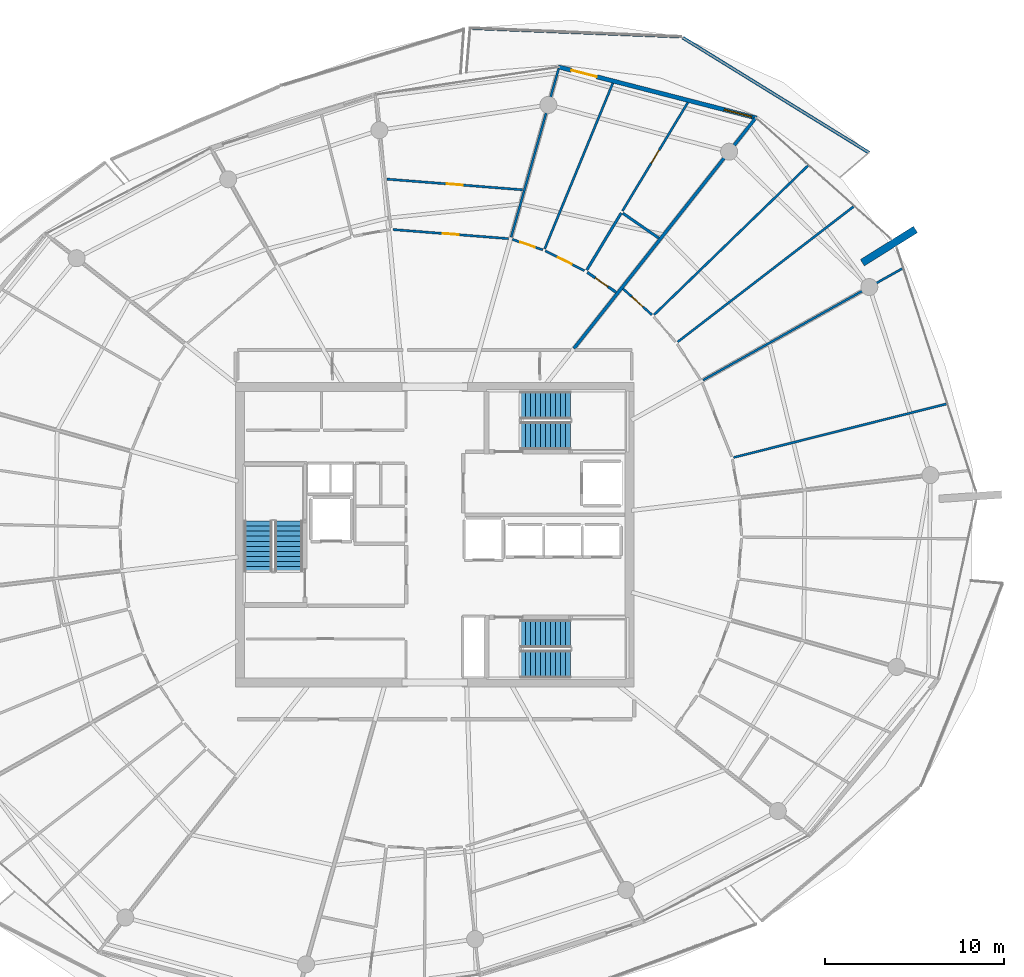
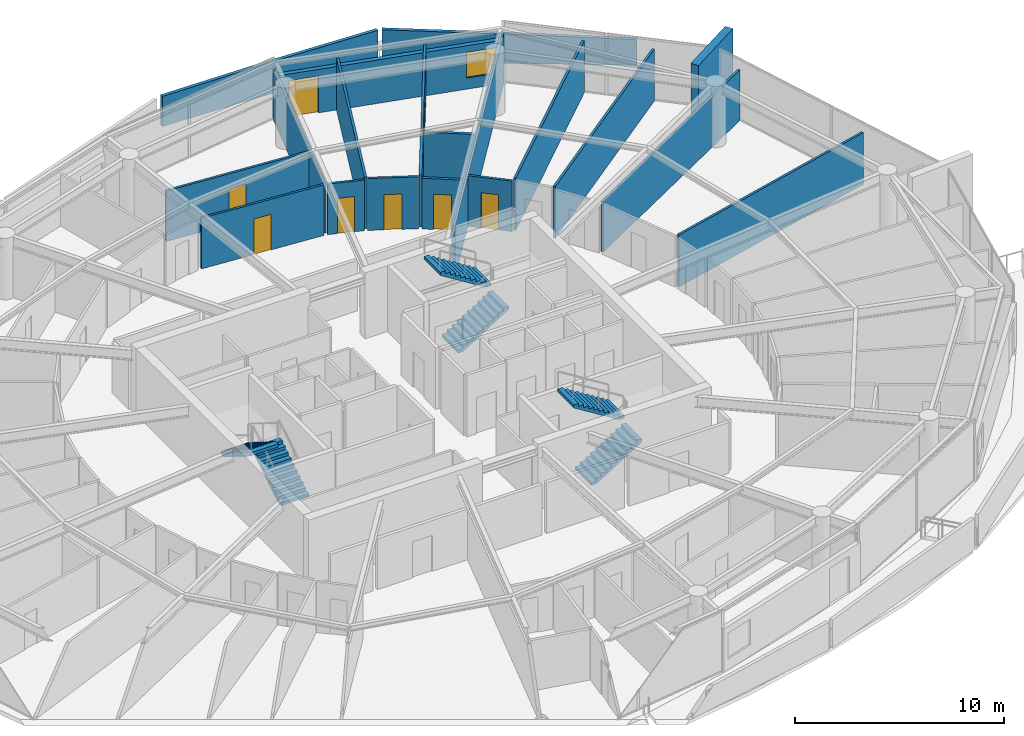
# One storey, part 22 of 29: 20 walls, 8 doors, 6 stair flights, 1 window, 9 openings, 3 elements without a shape of their own.
"""IFC4 building model written with IfcOpenShell, lengths in metres."""

from ifc_helpers import new_model, si_unit, direction, frame, frame_2d, origin, place, context, subcontext, project, spatial, polyline, rectangle, outline, extrude, material, layer, layer_set, type_object, element, fill, aggregate, save


model = new_model("IFC4")

# Units and contexts
model_context = context("Model", 3, precision=1e-05, world=origin(), true_north=direction((0.0, 1.0)))
body_context = subcontext(model_context, "Body", "Model", "MODEL_VIEW")
ifc_project = project(units=[si_unit("LENGTHUNIT", "METRE"), si_unit("AREAUNIT", "SQUARE_METRE"), si_unit("VOLUMEUNIT", "CUBIC_METRE"), si_unit("PLANEANGLEUNIT", "RADIAN"), si_unit("MASSUNIT", "GRAM", prefix="KILO")], contexts=[model_context])

# Site, building, storey
site_placement = place(None, origin())
site = spatial("IfcSite", under=ifc_project, at=site_placement, CompositionType="ELEMENT")
building_placement = place(site_placement, origin())
building = spatial("IfcBuilding", under=site, at=building_placement, Name="Kazma Halo Residences", CompositionType="ELEMENT")
storey_placement = place(building_placement, frame((0.0, 0.0, 286.75)))
storey = spatial("IfcBuildingStorey", under=building, at=storey_placement, Name="L72", CompositionType="ELEMENT", Elevation=286.75)

# Walls
ifc_material_1 = material(Name="White Concrete C50/60 Balustrade", Category="concrete")
ifc_layer_1 = layer(ifc_material_1, 0.179931640625)
ifc_layer_set_1 = layer_set([ifc_layer_1], Name="White Concrete C50/60 Balustrade")
wall_type_1 = type_object("IfcWallType", Name="WL-BAL-WAVE-180", PredefinedType="PARAPET", material=ifc_layer_set_1)
wall_1_placement = place(storey_placement, frame((72.651611328125, 63.31640625, 0.0), z_axis=(0.0, 0.0, 1.0), x_axis=(-0.850900796978, 0.52532640682, 0.0)))
element("IfcWall", 1, at=wall_1_placement, inside=storey, type_object=wall_type_1, Name="L72 white wave balustrade wall NE.1", PredefinedType="PARAPET", context=body_context, shape_type="SweptSolid", body=[
    extrude(outline(polyline([(0.0, 0.0), (12.208740234375, 0.0), (12.20849609375, 1.83203125), (6.104248046875, 1.696044921875), (0.0, 1.4970703125), (0.0, 0.0)])), frame((0.0, 0.08984375, 0.0), z_axis=(0.0, -1.0, 0.0), x_axis=(1.0, 0.0, 0.0)), (0.0, 0.0, 1.0), 0.179931640625),
])
wall_2_placement = place(storey_placement, frame((62.041259765625, 69.7978515625, 0.0), z_axis=(0.0, 0.0, 1.0), x_axis=(-0.999178647834, 0.040521965797, 0.0)))
element("IfcWall", 2, at=wall_2_placement, inside=storey, type_object=wall_type_1, Name="L72 white wave balustrade wall NE.2", PredefinedType="PARAPET", context=body_context, shape_type="SweptSolid", body=[
    extrude(outline(polyline([(0.0, 0.0), (11.652099609375, 0.0), (11.652099609375, 1.756103515625), (5.826171875, 1.85302734375), (0.0, 1.83203125), (0.0, 0.0)])), frame((0.0, 0.08984375, 0.0), z_axis=(0.0, -1.0, 0.0), x_axis=(1.0, 0.0, 0.0)), (0.0, 0.0, 1.0), 0.179931640625),
])
ifc_material_2 = material(Name="Pale Concrete C60/75", Category="concrete")
ifc_layer_2 = layer(ifc_material_2, 0.419921875)
ifc_layer_set_2 = layer_set([ifc_layer_2], Name="Pale Concrete C60/75")
wall_type_2 = type_object("IfcWallType", Name="WL-BLADE-420", PredefinedType="SOLIDWALL", material=ifc_layer_set_2)
wall_3_placement = place(storey_placement, frame((72.281494140625, 57.172607421875, 0.0), z_axis=(0.0, 0.0, 1.0), x_axis=(0.848033572426, 0.529942506352, 0.0)))
element("IfcWall", 3, at=wall_3_placement, inside=storey, type_object=wall_type_2, Name="L72 pale concrete structural blade fin wall BW-01", PredefinedType="SOLIDWALL", context=body_context, shape_type="SweptSolid", body=[
    extrude(rectangle(XDim=3.5, YDim=0.419921875, at=frame_2d((1.75, 0.0))), origin(), (0.0, 0.0, 1.0), 3.85009765625),
])
ifc_material_3 = material(Name="Acoustic Twin-Stud Gypsum")
ifc_layer_3 = layer(ifc_material_3, 0.179931640625)
ifc_layer_set_3 = layer_set([ifc_layer_3], Name="Acoustic Twin-Stud Gypsum")
wall_type_3 = type_object("IfcWallType", Name="WL-DEM-180", PredefinedType="PARTITIONING", material=ifc_layer_set_3)
wall_4_placement = place(storey_placement, frame((56.18798828125, 52.386474609375, 0.0), z_axis=(0.0, 0.0, 1.0), x_axis=(0.619097230176, 0.785314344443, 0.0)))
element("IfcWall", 4, at=wall_4_placement, inside=storey, type_object=wall_type_3, Name="L72 apartment demising radial wall 01", PredefinedType="PARTITIONING", context=body_context, shape_type="SweptSolid", body=[
    extrude(rectangle(XDim=16.369873046875, YDim=0.179931640625, at=frame_2d((8.18505859375, 0.0))), origin(), (0.0, 0.0, 1.0), 2.95703125),
])

# Wall, openings, door, window
ifc_material_4 = material(Name="Insulated Pale-Metal Composite Wall")
ifc_layer_4 = layer(ifc_material_4, 0.239990234375)
ifc_layer_set_4 = layer_set([ifc_layer_4], Name="Insulated Pale-Metal Composite Wall")
wall_type_4 = type_object("IfcWallType", Name="WL-EXT-HOST-240", PredefinedType="SOLIDWALL", material=ifc_layer_set_4)
wall_5_placement = place(storey_placement, frame((66.386474609375, 65.2490234375, 0.0), z_axis=(0.0, 0.0, 1.0), x_axis=(-0.968343758421, 0.249620442927, 0.0)))
wall_5 = element("IfcWall", 5, at=wall_5_placement, inside=storey, type_object=wall_type_4, Name="L72 exterior terrace-access wall B02", PredefinedType="SOLIDWALL", context=body_context, shape_type="SweptSolid", body=[
    extrude(rectangle(XDim=11.438232421875, YDim=0.239990234375, at=frame_2d((5.71923828125, 0.0))), origin(), (0.0, 0.0, 1.0), 2.5400390625),
])
opening_1_placement = place(wall_5_placement, frame((9.21826171875, 0.0, 0.0)))
opening_1 = element("IfcOpeningElement", 6, at=opening_1_placement, cuts=wall_5, Name="Opening DTR-1600", PredefinedType="OPENING", context=body_context, shape_type="SweptSolid", body=[
    extrude(rectangle(XDim=1.449951171875, YDim=2.14990234375, at=frame_2d((0.72509765625, 1.074951171875))), frame((0.0, 0.1298828125, 0.0), z_axis=(0.0, -1.0, 0.0), x_axis=(1.0, 0.0, 0.0)), (0.0, 0.0, 1.0), 0.260009765625),
])
opening_2_placement = place(wall_5_placement, frame((0.280029296875, 0.0, 0.64990234375)))
opening_2 = element("IfcOpeningElement", 7, at=opening_2_placement, cuts=wall_5, Name="Opening W-1800", PredefinedType="OPENING", context=body_context, shape_type="SweptSolid", body=[
    extrude(rectangle(XDim=1.60009765625, YDim=1.5, at=frame_2d((0.800048828125, 0.75))), frame((0.0, 0.1298828125, 0.0), z_axis=(0.0, -1.0, 0.0), x_axis=(1.0, 0.0, 0.0)), (0.0, 0.0, 1.0), 0.260009765625),
])
ifc_material_5 = material(Name="Aluminium AW-6063 T6 Double-Glazed Terrace Door", Category="aluminium")
door_type_1 = type_object("IfcDoorType", Name="DR-EXT-TERR-1600", OperationType="NOTDEFINED", PredefinedType="DOOR", material=ifc_material_5)
door_1_placement = place(opening_1_placement, origin())
door_1 = element("IfcDoor", 8, at=door_1_placement, inside=storey, type_object=door_type_1, Name="L72 B02 balcony terrace door", OperationType="DOUBLE_DOOR_SLIDING", OverallHeight=2.14990234375, OverallWidth=1.449951171875, PredefinedType="DOOR", context=body_context, shape_type="SweptSolid", body=[
    extrude(rectangle(XDim=1.449951171875, YDim=2.14990234375, at=frame_2d((0.72509765625, 1.074951171875))), frame((0.0, 0.02490234375, 0.0), z_axis=(0.0, -1.0, 0.0), x_axis=(1.0, 0.0, 0.0)), (0.0, 0.0, 1.0), 0.050048828125),
])
fill(opening_1, door_1)
ifc_material_6 = material(Name="Clear Triple-Silver Low-E Glass in Aluminium AW-6063 T6 Frame", Category="aluminium")
window_type = type_object("IfcWindowType", Name="WIN-RES-1800", PartitioningType="DOUBLE_PANEL_VERTICAL", PredefinedType="WINDOW", material=ifc_material_6)
window_placement = place(opening_2_placement, origin())
window = element("IfcWindow", 9, at=window_placement, inside=storey, type_object=window_type, Name="L72 B02 apartment window", OverallHeight=1.5, OverallWidth=1.60009765625, PartitioningType="SINGLE_PANEL", PredefinedType="WINDOW", context=body_context, shape_type="SweptSolid", body=[
    extrude(rectangle(XDim=1.60009765625, YDim=1.5, at=frame_2d((0.800048828125, 0.75))), frame((0.0, 0.030029296875, 0.0), z_axis=(0.0, -1.0, 0.0), x_axis=(1.0, 0.0, 0.0)), (0.0, 0.0, 1.0), 0.06005859375),
])
fill(opening_2, window)

# Wall, opening, door
ifc_material_7 = material(Name="Gypsum Plasterboard Partition")
ifc_layer_5 = layer(ifc_material_7, 0.125)
ifc_layer_set_5 = layer_set([ifc_layer_5], Name="Gypsum Plasterboard Partition")
wall_type_5 = type_object("IfcWallType", Name="WL-PART-125", PredefinedType="PARTITIONING", material=ifc_layer_set_5)
wall_6_placement = place(storey_placement, frame((58.893310546875, 60.061279296875, 0.0), z_axis=(0.0, 0.0, 1.0), x_axis=(0.516439316059, 0.856323789713, 0.0)))
wall_6 = element("IfcWall", 10, at=wall_6_placement, inside=storey, type_object=wall_type_5, Name="L72 Apartment 1 Household Store Room partition wall", PredefinedType="PARTITIONING", context=body_context, shape_type="SweptSolid", body=[
    extrude(rectangle(XDim=7.0703125, YDim=0.125, at=frame_2d((3.53515625, 0.0))), origin(), (0.0, 0.0, 1.0), 3.030029296875),
])
opening_3_placement = place(wall_6_placement, frame((3.110107421875, 0.0, 0.0)))
opening_3 = element("IfcOpeningElement", 11, at=opening_3_placement, cuts=wall_6, Name="Opening DB-900", PredefinedType="OPENING", context=body_context, shape_type="SweptSolid", body=[
    extrude(rectangle(XDim=0.85009765625, YDim=2.06005859375, at=frame_2d((0.425048828125, 1.030029296875))), frame((0.0, 0.072509765625, 0.0), z_axis=(0.0, -1.0, 0.0), x_axis=(1.0, 0.0, 0.0)), (0.0, 0.0, 1.0), 0.14501953125),
])
ifc_material_8 = material(Name="Moisture-Sealed Timber Leaf", Category="wood")
door_type_2 = type_object("IfcDoorType", Name="DR-BTH-900", OperationType="NOTDEFINED", PredefinedType="DOOR", material=ifc_material_8)
door_2_placement = place(opening_3_placement, origin())
door_2 = element("IfcDoor", 12, at=door_2_placement, inside=storey, type_object=door_type_2, Name="L72 Apartment 1 Household Store Room door", OperationType="SINGLE_SWING_LEFT", OverallHeight=2.06005859375, OverallWidth=0.85009765625, PredefinedType="DOOR", context=body_context, shape_type="SweptSolid", body=[
    extrude(rectangle(XDim=0.85009765625, YDim=2.06005859375, at=frame_2d((0.425048828125, 1.030029296875))), frame((0.0, 0.02490234375, 0.0), z_axis=(0.0, -1.0, 0.0), x_axis=(1.0, 0.0, 0.0)), (0.0, 0.0, 1.0), 0.050048828125),
])
fill(opening_3, door_2)

# Wall
wall_7_placement = place(storey_placement, frame((54.555908203125, 57.947021484375, 0.0), z_axis=(0.0, 0.0, 1.0), x_axis=(0.380247271433, 0.924884864493, 0.0)))
element("IfcWall", 13, at=wall_7_placement, inside=storey, type_object=wall_type_5, Name="L72 Apartment 1 suite divider 1", PredefinedType="PARTITIONING", context=body_context, shape_type="SweptSolid", body=[
    extrude(rectangle(XDim=9.994873046875, YDim=0.125, at=frame_2d((4.99755859375, 0.0))), origin(), (0.0, 0.0, 1.0), 3.030029296875),
])

# Wall, opening, door
wall_8_placement = place(storey_placement, frame((56.77783203125, 56.72802734375, 0.0), z_axis=(0.0, 0.0, 1.0), x_axis=(-0.893226093112, 0.449607769711, 0.0)))
wall_8 = element("IfcWall", 14, at=wall_8_placement, inside=storey, type_object=wall_type_5, Name="L72 Apartment 1 Gourmet Kitchen hall wall", PredefinedType="PARTITIONING", context=body_context, shape_type="SweptSolid", body=[
    extrude(rectangle(XDim=2.44580078125, YDim=0.125, at=frame_2d((1.222900390625, 0.0))), origin(), (0.0, 0.0, 1.0), 3.030029296875),
])
opening_4_placement = place(wall_8_placement, frame((0.7978515625, 0.0, 0.0)))
opening_4 = element("IfcOpeningElement", 15, at=opening_4_placement, cuts=wall_8, Name="Opening DB-900", PredefinedType="OPENING", context=body_context, shape_type="SweptSolid", body=[
    extrude(rectangle(XDim=0.85009765625, YDim=2.06005859375, at=frame_2d((0.425048828125, 1.030029296875))), frame((0.0, 0.072509765625, 0.0), z_axis=(0.0, -1.0, 0.0), x_axis=(1.0, 0.0, 0.0)), (0.0, 0.0, 1.0), 0.14501953125),
])
door_3_placement = place(opening_4_placement, origin())
door_3 = element("IfcDoor", 16, at=door_3_placement, inside=storey, type_object=door_type_2, Name="L72 Apartment 1 Gourmet Kitchen door", OperationType="SINGLE_SWING_RIGHT", OverallHeight=2.06005859375, OverallWidth=0.85009765625, PredefinedType="DOOR", context=body_context, shape_type="SweptSolid", body=[
    extrude(rectangle(XDim=0.85009765625, YDim=2.06005859375, at=frame_2d((0.425048828125, 1.030029296875))), frame((0.0, 0.02490234375, 0.0), z_axis=(0.0, -1.0, 0.0), x_axis=(1.0, 0.0, 0.0)), (0.0, 0.0, 1.0), 0.050048828125),
])
fill(opening_4, door_3)

wall_9_placement = place(storey_placement, frame((54.4462890625, 57.889892578125, 0.0), z_axis=(0.0, 0.0, 1.0), x_axis=(-0.945268821385, 0.326292591576, 0.0)))
wall_9 = element("IfcWall", 17, at=wall_9_placement, inside=storey, type_object=wall_type_5, Name="L72 Apartment 1 Primary Bedroom hall wall", PredefinedType="PARTITIONING", context=body_context, shape_type="SweptSolid", body=[
    extrude(rectangle(XDim=1.794189453125, YDim=0.125, at=frame_2d((0.89697265625, 0.0))), origin(), (0.0, 0.0, 1.0), 2.95703125),
])
opening_5_placement = place(wall_9_placement, frame((0.47216796875, 0.0, 0.0)))
opening_5 = element("IfcOpeningElement", 18, at=opening_5_placement, cuts=wall_9, Name="Opening DB-900", PredefinedType="OPENING", context=body_context, shape_type="SweptSolid", body=[
    extrude(rectangle(XDim=0.85009765625, YDim=2.06005859375, at=frame_2d((0.425048828125, 1.030029296875))), frame((0.0, 0.072509765625, 0.0), z_axis=(0.0, -1.0, 0.0), x_axis=(1.0, 0.0, 0.0)), (0.0, 0.0, 1.0), 0.14501953125),
])
door_4_placement = place(opening_5_placement, origin())
door_4 = element("IfcDoor", 19, at=door_4_placement, inside=storey, type_object=door_type_2, Name="L72 Apartment 1 Primary Bedroom door", OperationType="SINGLE_SWING_LEFT", OverallHeight=2.06005859375, OverallWidth=0.85009765625, PredefinedType="DOOR", context=body_context, shape_type="SweptSolid", body=[
    extrude(rectangle(XDim=0.85009765625, YDim=2.06005859375, at=frame_2d((0.425048828125, 1.030029296875))), frame((0.0, 0.02490234375, 0.0), z_axis=(0.0, -1.0, 0.0), x_axis=(1.0, 0.0, 0.0)), (0.0, 0.0, 1.0), 0.050048828125),
])
fill(opening_5, door_4)

# Wall
wall_10_placement = place(storey_placement, frame((52.682861328125, 58.604248046875, 0.0), z_axis=(0.0, 0.0, 1.0), x_axis=(0.271442886698, 0.962454549192, 0.0)))
element("IfcWall", 20, at=wall_10_placement, inside=storey, type_object=wall_type_5, Name="L72 Apartment 1 radial partition 2", PredefinedType="PARTITIONING", context=body_context, shape_type="SweptSolid", body=[
    extrude(rectangle(XDim=9.732666015625, YDim=0.125, at=frame_2d((4.8662109375, 0.0))), origin(), (0.0, 0.0, 1.0), 2.95703125),
])

# Wall, opening, door
wall_11_placement = place(storey_placement, frame((52.5458984375, 58.5166015625, 0.0), z_axis=(0.0, 0.0, 1.0), x_axis=(-0.996917123382, 0.078461768451, 0.0)))
wall_11 = element("IfcWall", 21, at=wall_11_placement, inside=storey, type_object=wall_type_5, Name="L72 Apartment 1 Primary Study hall wall", PredefinedType="PARTITIONING", context=body_context, shape_type="SweptSolid", body=[
    extrude(rectangle(XDim=6.47216796875, YDim=0.125, at=frame_2d((3.236083984375, 0.0))), origin(), (0.0, 0.0, 1.0), 2.95703125),
])
opening_6_placement = place(wall_11_placement, frame((2.7861328125, 0.0, 0.0)))
opening_6 = element("IfcOpeningElement", 22, at=opening_6_placement, cuts=wall_11, Name="Opening DI-950", PredefinedType="OPENING", context=body_context, shape_type="SweptSolid", body=[
    extrude(rectangle(XDim=0.89990234375, YDim=2.080078125, at=frame_2d((0.449951171875, 1.0400390625))), frame((0.0, 0.072509765625, 0.0), z_axis=(0.0, -1.0, 0.0), x_axis=(1.0, 0.0, 0.0)), (0.0, 0.0, 1.0), 0.14501953125),
])
ifc_material_9 = material(Name="Timber Veneer Flush Leaf", Category="wood")
door_type_3 = type_object("IfcDoorType", Name="DR-INT-950", OperationType="NOTDEFINED", PredefinedType="DOOR", material=ifc_material_9)
door_5_placement = place(opening_6_placement, origin())
door_5 = element("IfcDoor", 23, at=door_5_placement, inside=storey, type_object=door_type_3, Name="L72 Apartment 1 Primary Study door", OperationType="SINGLE_SWING_LEFT", OverallHeight=2.080078125, OverallWidth=0.89990234375, PredefinedType="DOOR", context=body_context, shape_type="SweptSolid", body=[
    extrude(rectangle(XDim=0.89990234375, YDim=2.080078125, at=frame_2d((0.449951171875, 1.0400390625))), frame((0.0, 0.02490234375, 0.0), z_axis=(0.0, -1.0, 0.0), x_axis=(1.0, 0.0, 0.0)), (0.0, 0.0, 1.0), 0.050048828125),
])
fill(opening_6, door_5)

wall_12_placement = place(storey_placement, frame((53.31494140625, 61.243408203125, 0.0), z_axis=(0.0, 0.0, 1.0), x_axis=(-0.996917808025, 0.07845306905, 0.0)))
wall_12 = element("IfcWall", 24, at=wall_12_placement, inside=storey, type_object=wall_type_5, Name="L72 Apartment 1 Secondary Master Bedroom divider wall", PredefinedType="PARTITIONING", context=body_context, shape_type="SweptSolid", body=[
    extrude(rectangle(XDim=7.57763671875, YDim=0.125, at=frame_2d((3.788818359375, 0.0))), origin(), (0.0, 0.0, 1.0), 2.95703125),
])
opening_7_placement = place(wall_12_placement, frame((3.3388671875, 0.0, 0.0)))
opening_7 = element("IfcOpeningElement", 25, at=opening_7_placement, cuts=wall_12, Name="Opening DI-950", PredefinedType="OPENING", context=body_context, shape_type="SweptSolid", body=[
    extrude(rectangle(XDim=0.89990234375, YDim=2.080078125, at=frame_2d((0.449951171875, 1.0400390625))), frame((0.0, 0.072509765625, 0.0), z_axis=(0.0, -1.0, 0.0), x_axis=(1.0, 0.0, 0.0)), (0.0, 0.0, 1.0), 0.14501953125),
])
door_6_placement = place(opening_7_placement, origin())
door_6 = element("IfcDoor", 26, at=door_6_placement, inside=storey, type_object=door_type_3, Name="L72 Apartment 1 Secondary Master Bedroom door", OperationType="SINGLE_SWING_RIGHT", OverallHeight=2.080078125, OverallWidth=0.89990234375, PredefinedType="DOOR", context=body_context, shape_type="SweptSolid", body=[
    extrude(rectangle(XDim=0.89990234375, YDim=2.080078125, at=frame_2d((0.449951171875, 1.0400390625))), frame((0.0, 0.02490234375, 0.0), z_axis=(0.0, -1.0, 0.0), x_axis=(1.0, 0.0, 0.0)), (0.0, 0.0, 1.0), 0.050048828125),
])
fill(opening_7, door_6)

# Walls
wall_13_placement = place(storey_placement, frame((65.102294921875, 46.305419921875, 0.0), z_axis=(0.0, 0.0, 1.0), x_axis=(0.969744651586, 0.244121508108, 0.0)))
element("IfcWall", 27, at=wall_13_placement, inside=storey, type_object=wall_type_5, Name="L72 Apartment 2 mid-bay wall 15", PredefinedType="PARTITIONING", context=body_context, shape_type="SweptSolid", body=[
    extrude(rectangle(XDim=12.27685546875, YDim=0.125, at=frame_2d((6.138427734375, 0.0))), origin(), (0.0, 0.0, 1.0), 3.030029296875),
])
wall_14_placement = place(storey_placement, frame((63.39599609375, 50.622314453125, 0.0), z_axis=(0.0, 0.0, 1.0), x_axis=(0.872499176967, 0.4886155812, 0.0)))
element("IfcWall", 28, at=wall_14_placement, inside=storey, type_object=wall_type_5, Name="L72 Apartment 2 radial partition 0", PredefinedType="PARTITIONING", context=body_context, shape_type="SweptSolid", body=[
    extrude(rectangle(XDim=12.78369140625, YDim=0.125, at=frame_2d((6.391845703125, 0.0))), origin(), (0.0, 0.0, 1.0), 2.95703125),
])
wall_15_placement = place(storey_placement, frame((61.9775390625, 52.75439453125, 0.0), z_axis=(0.0, 0.0, 1.0), x_axis=(0.792559605076, 0.609794450944, 0.0)))
element("IfcWall", 29, at=wall_15_placement, inside=storey, type_object=wall_type_5, Name="L72 Apartment 2 bay wall 1 0", PredefinedType="PARTITIONING", context=body_context, shape_type="SweptSolid", body=[
    extrude(rectangle(XDim=12.40576171875, YDim=0.125, at=frame_2d((6.202880859375, 0.0))), origin(), (0.0, 0.0, 1.0), 3.030029296875),
])
wall_16_placement = place(storey_placement, frame((60.664794921875, 54.273193359375, 0.0), z_axis=(0.0, 0.0, 1.0), x_axis=(0.718133524399, 0.695905339205, 0.0)))
element("IfcWall", 30, at=wall_16_placement, inside=storey, type_object=wall_type_5, Name="L72 Apartment 2 bay wall 2 0", PredefinedType="PARTITIONING", context=body_context, shape_type="SweptSolid", body=[
    extrude(rectangle(XDim=11.971923828125, YDim=0.125, at=frame_2d((5.98583984375, 0.0))), origin(), (0.0, 0.0, 1.0), 3.030029296875),
])

# Wall, opening, door
wall_17_placement = place(storey_placement, frame((60.540771484375, 54.26416015625, 0.0), z_axis=(0.0, 0.0, 1.0), x_axis=(-0.742235558018, 0.670139072443, 0.0)))
wall_17 = element("IfcWall", 31, at=wall_17_placement, inside=storey, type_object=wall_type_5, Name="L72 Apartment 2 Outer Master Bedroom hall wall", PredefinedType="PARTITIONING", context=body_context, shape_type="SweptSolid", body=[
    extrude(rectangle(XDim=2.1806640625, YDim=0.125, at=frame_2d((1.09033203125, 0.0))), origin(), (0.0, 0.0, 1.0), 2.95703125),
])
opening_8_placement = place(wall_17_placement, frame((0.66552734375, 0.0, 0.0)))
opening_8 = element("IfcOpeningElement", 32, at=opening_8_placement, cuts=wall_17, Name="Opening DB-900", PredefinedType="OPENING", context=body_context, shape_type="SweptSolid", body=[
    extrude(rectangle(XDim=0.85009765625, YDim=2.06005859375, at=frame_2d((0.425048828125, 1.030029296875))), frame((0.0, 0.072509765625, 0.0), z_axis=(0.0, -1.0, 0.0), x_axis=(1.0, 0.0, 0.0)), (0.0, 0.0, 1.0), 0.14501953125),
])
door_7_placement = place(opening_8_placement, origin())
door_7 = element("IfcDoor", 33, at=door_7_placement, inside=storey, type_object=door_type_2, Name="L72 Apartment 2 Outer Master Bedroom door", OperationType="SINGLE_SWING_RIGHT", OverallHeight=2.06005859375, OverallWidth=0.85009765625, PredefinedType="DOOR", context=body_context, shape_type="SweptSolid", body=[
    extrude(rectangle(XDim=0.85009765625, YDim=2.06005859375, at=frame_2d((0.425048828125, 1.030029296875))), frame((0.0, 0.02490234375, 0.0), z_axis=(0.0, -1.0, 0.0), x_axis=(1.0, 0.0, 0.0)), (0.0, 0.0, 1.0), 0.050048828125),
])
fill(opening_8, door_7)

ifc_material_10 = material(Name="Moisture-Resistant Gypsum")
ifc_layer_6 = layer(ifc_material_10, 0.14990234375)
ifc_layer_set_6 = layer_set([ifc_layer_6], Name="Moisture-Resistant Gypsum")
wall_type_6 = type_object("IfcWallType", Name="WL-WET-150", PredefinedType="PARTITIONING", material=ifc_layer_set_6)
wall_18_placement = place(storey_placement, frame((58.53662109375, 55.526611328125, 0.0), z_axis=(0.0, 0.0, 1.0), x_axis=(-0.822435430251, 0.568858473671, 0.0)))
wall_18 = element("IfcWall", 34, at=wall_18_placement, inside=storey, type_object=wall_type_6, Name="L72 Apartment 1 Guest Bathroom hall wall", PredefinedType="PARTITIONING", context=body_context, shape_type="SweptSolid", body=[
    extrude(rectangle(XDim=1.95068359375, YDim=0.14990234375, at=frame_2d((0.975341796875, 0.0))), origin(), (0.0, 0.0, 1.0), 2.95703125),
])
opening_9_placement = place(wall_18_placement, frame((0.55029296875, 0.0, 0.0)))
opening_9 = element("IfcOpeningElement", 35, at=opening_9_placement, cuts=wall_18, Name="Opening DB-900", PredefinedType="OPENING", context=body_context, shape_type="SweptSolid", body=[
    extrude(rectangle(XDim=0.85009765625, YDim=2.06005859375, at=frame_2d((0.425048828125, 1.030029296875))), frame((0.0, 0.0849609375, 0.0), z_axis=(0.0, -1.0, 0.0), x_axis=(1.0, 0.0, 0.0)), (0.0, 0.0, 1.0), 0.169921875),
])
door_8_placement = place(opening_9_placement, origin())
door_8 = element("IfcDoor", 36, at=door_8_placement, inside=storey, type_object=door_type_2, Name="L72 Apartment 1 Guest Bathroom door", OperationType="SINGLE_SWING_RIGHT", OverallHeight=2.06005859375, OverallWidth=0.85009765625, PredefinedType="DOOR", context=body_context, shape_type="SweptSolid", body=[
    extrude(rectangle(XDim=0.85009765625, YDim=2.06005859375, at=frame_2d((0.425048828125, 1.030029296875))), frame((0.0, 0.02490234375, 0.0), z_axis=(0.0, -1.0, 0.0), x_axis=(1.0, 0.0, 0.0)), (0.0, 0.0, 1.0), 0.050048828125),
])
fill(opening_9, door_8)

# Walls
wall_19_placement = place(storey_placement, frame((60.919921875, 58.550048828125, 0.0), z_axis=(0.0, 0.0, 1.0), x_axis=(-0.822394599949, 0.568917500148, 0.0)))
element("IfcWall", 37, at=wall_19_placement, inside=storey, type_object=wall_type_6, Name="L72 Apartment 1 Guest Bathroom back wall", PredefinedType="PARTITIONING", context=body_context, shape_type="SweptSolid", body=[
    extrude(rectangle(XDim=2.43115234375, YDim=0.14990234375, at=frame_2d((1.215576171875, 0.0))), origin(), (0.0, 0.0, 1.0), 2.95703125),
])
wall_20_placement = place(storey_placement, frame((56.90478515625, 56.7646484375, 0.0), z_axis=(0.0, 0.0, 1.0), x_axis=(0.516463378785, 0.856309277291, 0.0)))
element("IfcWall", 38, at=wall_20_placement, inside=storey, type_object=wall_type_6, Name="L72 Apartment 1 Guest Bathroom side wall", PredefinedType="PARTITIONING", context=body_context, shape_type="SweptSolid", body=[
    extrude(rectangle(XDim=3.7197265625, YDim=0.14990234375, at=frame_2d((1.85986328125, 0.0))), origin(), (0.0, 0.0, 1.0), 3.030029296875),
])

# Stair, stair flights
ifc_material_11 = material(Name="Concrete C50/60", Category="concrete")
stair_type = type_object("IfcStairType", Name="STR-RES2", PredefinedType="HALF_TURN_STAIR", material=ifc_material_11)
stair_1_placement = place(storey_placement, origin())
stair_1 = element("IfcStair", 39, at=stair_1_placement, inside=storey, type_object=stair_type, Name="L72 Core exit stair ST-01", PredefinedType="HALF_TURN_STAIR")
stair_flight_type = type_object("IfcStairFlightType", Name="STR-RES2-FLT", PredefinedType="STRAIGHT", material=ifc_material_11)
stair_flight_1_placement = place(storey_placement, frame((40.27490234375, 39.949951171875, 0.0), z_axis=(0.0, 0.0, 1.0), x_axis=(0.0, 1.0, 0.0)))
stair_flight_1 = element("IfcStairFlight", 40, at=stair_flight_1_placement, type_object=stair_flight_type, Name="ST-01 flight 1", NumberOfRisers=11, NumberOfTreads=10, PredefinedType="STRAIGHT", RiserHeight=0.175, TreadLength=0.28, context=body_context, shape_type="SweptSolid", body=[
    extrude(outline(polyline([(0.0, 0.0), (0.0, 0.175048828125), (0.280029296875, 0.175048828125), (0.280029296875, 0.35009765625), (0.56005859375, 0.35009765625), (0.56005859375, 0.52490234375), (0.840087890625, 0.52490234375), (0.840087890625, 0.699951171875), (1.1201171875, 0.699951171875), (1.1201171875, 0.875), (1.39990234375, 0.875), (1.39990234375, 1.050048828125), (1.679931640625, 1.050048828125), (1.679931640625, 1.22509765625), (1.9599609375, 1.22509765625), (1.9599609375, 1.39990234375), (2.239990234375, 1.39990234375), (2.239990234375, 1.574951171875), (2.52001953125, 1.574951171875), (2.52001953125, 1.75), (2.800048828125, 1.75), (2.800048828125, 1.925048828125), (2.800048828125, 1.5732421875), (0.28271484375, 0.0), (0.0, 0.0)])), frame((0.0, 0.77490234375, 0.0), z_axis=(0.0, -1.0, 0.0), x_axis=(1.0, 0.0, 0.0)), (0.0, 0.0, 1.0), 1.550048828125),
])
stair_flight_2_placement = place(storey_placement, frame((38.574951171875, 42.75, 1.925048828125), z_axis=(0.0, 0.0, 1.0), x_axis=(0.0, -1.0, 0.0)))
stair_flight_2 = element("IfcStairFlight", 41, at=stair_flight_2_placement, type_object=stair_flight_type, Name="ST-01 flight 2", NumberOfRisers=11, NumberOfTreads=10, PredefinedType="STRAIGHT", RiserHeight=0.175, TreadLength=0.28, context=body_context, shape_type="SweptSolid", body=[
    extrude(outline(polyline([(0.0, 0.0), (0.0, 0.175048828125), (0.280029296875, 0.175048828125), (0.280029296875, 0.35009765625), (0.56005859375, 0.35009765625), (0.56005859375, 0.52490234375), (0.840087890625, 0.52490234375), (0.840087890625, 0.699951171875), (1.1201171875, 0.699951171875), (1.1201171875, 0.875), (1.39990234375, 0.875), (1.39990234375, 1.050048828125), (1.679931640625, 1.050048828125), (1.679931640625, 1.22509765625), (1.9599609375, 1.22509765625), (1.9599609375, 1.39990234375), (2.239990234375, 1.39990234375), (2.239990234375, 1.574951171875), (2.52001953125, 1.574951171875), (2.52001953125, 1.75), (2.800048828125, 1.75), (2.800048828125, 1.925048828125), (2.800048828125, 1.5732421875), (0.28271484375, 0.0), (0.0, 0.0)])), frame((0.0, 0.77490234375, 0.0), z_axis=(0.0, -1.0, 0.0), x_axis=(1.0, 0.0, 0.0)), (0.0, 0.0, 1.0), 1.550048828125),
])
aggregate(stair_1, [stair_flight_1, stair_flight_2])

stair_2_placement = place(storey_placement, origin())
stair_2 = element("IfcStair", 42, at=stair_2_placement, inside=storey, type_object=stair_type, Name="L72 Core exit stair ST-02", PredefinedType="HALF_TURN_STAIR")
stair_flight_3_placement = place(storey_placement, frame((53.199951171875, 47.52490234375, 0.0), z_axis=(0.0, 0.0, 1.0), x_axis=(1.0, 0.0, 0.0)))
stair_flight_3 = element("IfcStairFlight", 43, at=stair_flight_3_placement, type_object=stair_flight_type, Name="ST-02 flight 1", NumberOfRisers=11, NumberOfTreads=10, PredefinedType="STRAIGHT", RiserHeight=0.175, TreadLength=0.28, context=body_context, shape_type="SweptSolid", body=[
    extrude(outline(polyline([(0.0, 0.0), (0.0, 0.175048828125), (0.280029296875, 0.175048828125), (0.280029296875, 0.35009765625), (0.56005859375, 0.35009765625), (0.56005859375, 0.52490234375), (0.840087890625, 0.52490234375), (0.840087890625, 0.699951171875), (1.1201171875, 0.699951171875), (1.1201171875, 0.875), (1.39990234375, 0.875), (1.39990234375, 1.050048828125), (1.679931640625, 1.050048828125), (1.679931640625, 1.22509765625), (1.9599609375, 1.22509765625), (1.9599609375, 1.39990234375), (2.239990234375, 1.39990234375), (2.239990234375, 1.574951171875), (2.52001953125, 1.574951171875), (2.52001953125, 1.75), (2.800048828125, 1.75), (2.800048828125, 1.925048828125), (2.800048828125, 1.5732421875), (0.28271484375, 0.0), (0.0, 0.0)])), frame((0.0, 0.77490234375, 0.0), z_axis=(0.0, -1.0, 0.0), x_axis=(1.0, 0.0, 0.0)), (0.0, 0.0, 1.0), 1.550048828125),
])
stair_flight_4_placement = place(storey_placement, frame((56.0, 49.22509765625, 1.925048828125), z_axis=(0.0, 0.0, 1.0), x_axis=(-1.0, 0.0, 0.0)))
stair_flight_4 = element("IfcStairFlight", 44, at=stair_flight_4_placement, type_object=stair_flight_type, Name="ST-02 flight 2", NumberOfRisers=11, NumberOfTreads=10, PredefinedType="STRAIGHT", RiserHeight=0.175, TreadLength=0.28, context=body_context, shape_type="SweptSolid", body=[
    extrude(outline(polyline([(0.0, 0.0), (0.0, 0.175048828125), (0.280029296875, 0.175048828125), (0.280029296875, 0.35009765625), (0.56005859375, 0.35009765625), (0.56005859375, 0.52490234375), (0.840087890625, 0.52490234375), (0.840087890625, 0.699951171875), (1.1201171875, 0.699951171875), (1.1201171875, 0.875), (1.39990234375, 0.875), (1.39990234375, 1.050048828125), (1.679931640625, 1.050048828125), (1.679931640625, 1.22509765625), (1.9599609375, 1.22509765625), (1.9599609375, 1.39990234375), (2.239990234375, 1.39990234375), (2.239990234375, 1.574951171875), (2.52001953125, 1.574951171875), (2.52001953125, 1.75), (2.800048828125, 1.75), (2.800048828125, 1.925048828125), (2.800048828125, 1.5732421875), (0.28271484375, 0.0), (0.0, 0.0)])), frame((0.0, 0.77490234375, 0.0), z_axis=(0.0, -1.0, 0.0), x_axis=(1.0, 0.0, 0.0)), (0.0, 0.0, 1.0), 1.550048828125),
])
aggregate(stair_2, [stair_flight_3, stair_flight_4])

stair_3_placement = place(storey_placement, origin())
stair_3 = element("IfcStair", 45, at=stair_3_placement, inside=storey, type_object=stair_type, Name="L72 Core exit stair ST-03", PredefinedType="HALF_TURN_STAIR")
stair_flight_5_placement = place(storey_placement, frame((53.199951171875, 34.77490234375, 0.0), z_axis=(0.0, 0.0, 1.0), x_axis=(1.0, 0.0, 0.0)))
stair_flight_5 = element("IfcStairFlight", 46, at=stair_flight_5_placement, type_object=stair_flight_type, Name="ST-03 flight 1", NumberOfRisers=11, NumberOfTreads=10, PredefinedType="STRAIGHT", RiserHeight=0.175, TreadLength=0.28, context=body_context, shape_type="SweptSolid", body=[
    extrude(outline(polyline([(0.0, 0.0), (0.0, 0.175048828125), (0.280029296875, 0.175048828125), (0.280029296875, 0.35009765625), (0.56005859375, 0.35009765625), (0.56005859375, 0.52490234375), (0.840087890625, 0.52490234375), (0.840087890625, 0.699951171875), (1.1201171875, 0.699951171875), (1.1201171875, 0.875), (1.39990234375, 0.875), (1.39990234375, 1.050048828125), (1.679931640625, 1.050048828125), (1.679931640625, 1.22509765625), (1.9599609375, 1.22509765625), (1.9599609375, 1.39990234375), (2.239990234375, 1.39990234375), (2.239990234375, 1.574951171875), (2.52001953125, 1.574951171875), (2.52001953125, 1.75), (2.800048828125, 1.75), (2.800048828125, 1.925048828125), (2.800048828125, 1.5732421875), (0.28271484375, 0.0), (0.0, 0.0)])), frame((0.0, 0.77490234375, 0.0), z_axis=(0.0, -1.0, 0.0), x_axis=(1.0, 0.0, 0.0)), (0.0, 0.0, 1.0), 1.550048828125),
])
stair_flight_6_placement = place(storey_placement, frame((56.0, 36.47509765625, 1.925048828125), z_axis=(0.0, 0.0, 1.0), x_axis=(-1.0, 0.0, 0.0)))
stair_flight_6 = element("IfcStairFlight", 47, at=stair_flight_6_placement, type_object=stair_flight_type, Name="ST-03 flight 2", NumberOfRisers=11, NumberOfTreads=10, PredefinedType="STRAIGHT", RiserHeight=0.175, TreadLength=0.28, context=body_context, shape_type="SweptSolid", body=[
    extrude(outline(polyline([(0.0, 0.0), (0.0, 0.175048828125), (0.280029296875, 0.175048828125), (0.280029296875, 0.35009765625), (0.56005859375, 0.35009765625), (0.56005859375, 0.52490234375), (0.840087890625, 0.52490234375), (0.840087890625, 0.699951171875), (1.1201171875, 0.699951171875), (1.1201171875, 0.875), (1.39990234375, 0.875), (1.39990234375, 1.050048828125), (1.679931640625, 1.050048828125), (1.679931640625, 1.22509765625), (1.9599609375, 1.22509765625), (1.9599609375, 1.39990234375), (2.239990234375, 1.39990234375), (2.239990234375, 1.574951171875), (2.52001953125, 1.574951171875), (2.52001953125, 1.75), (2.800048828125, 1.75), (2.800048828125, 1.925048828125), (2.800048828125, 1.5732421875), (0.28271484375, 0.0), (0.0, 0.0)])), frame((0.0, 0.77490234375, 0.0), z_axis=(0.0, -1.0, 0.0), x_axis=(1.0, 0.0, 0.0)), (0.0, 0.0, 1.0), 1.550048828125),
])
aggregate(stair_3, [stair_flight_5, stair_flight_6])

save(model, "model.ifc")
